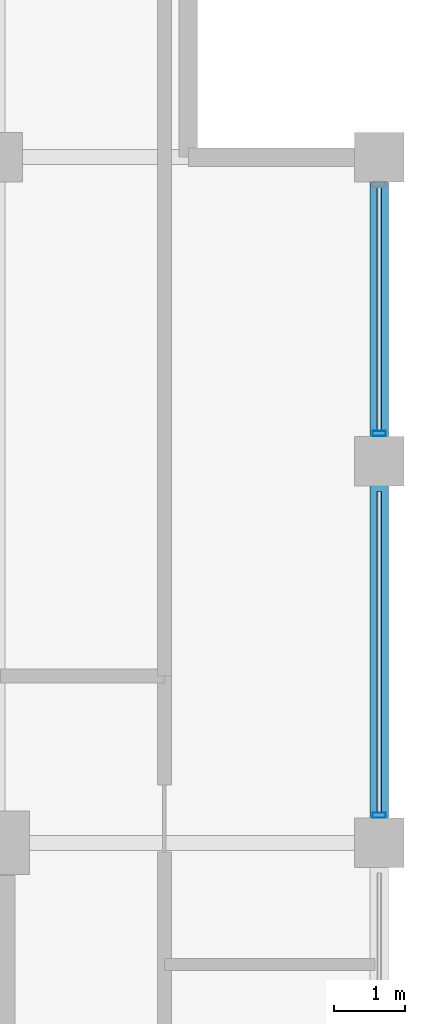
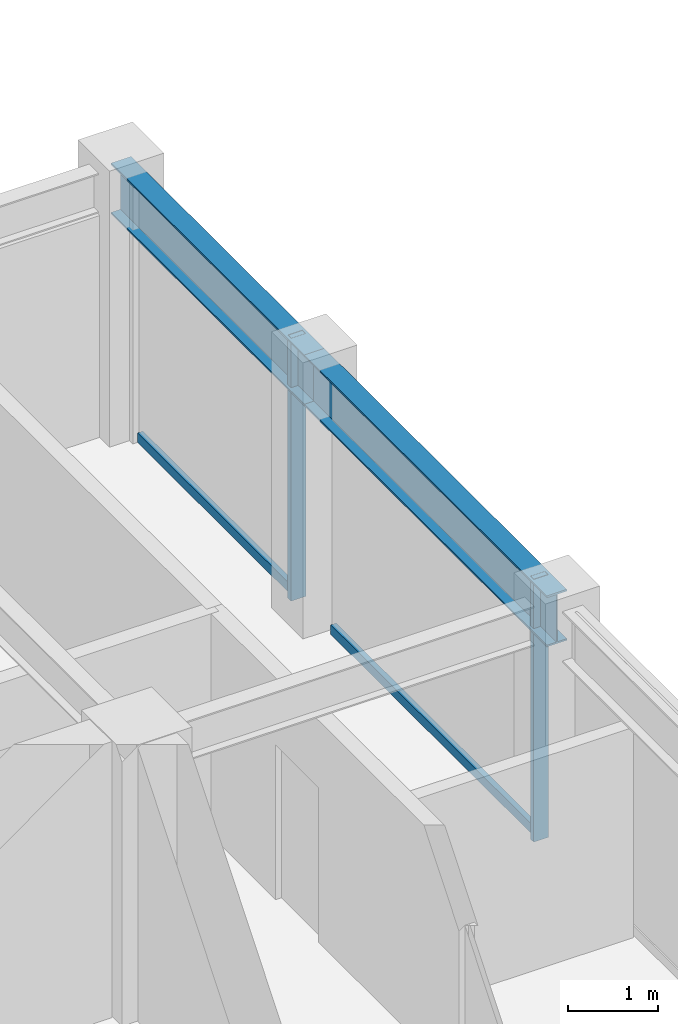
# One storey, part 21 of 31: 4 members, 2 beams, 1 element without a shape of its own.
"""IFC4 building model written with IfcOpenShell, lengths in metres."""

from ifc_helpers import new_model, si_unit, direction, frame, origin, origin_2d, place, context, subcontext, project, spatial, hollow_rectangle, i_section, extrude, material, layer, layer_set, material_profile, profile_set, type_object, element, aggregate, save


model = new_model("IFC4")

# Units and contexts
model_context = context("Model", 3, precision=1e-05, world=origin(), true_north=direction((0.0, 1.0)))
body_context = subcontext(model_context, "Body", "Model", "MODEL_VIEW")
ifc_project = project(units=[si_unit("LENGTHUNIT", "METRE"), si_unit("AREAUNIT", "SQUARE_METRE"), si_unit("VOLUMEUNIT", "CUBIC_METRE"), si_unit("PLANEANGLEUNIT", "RADIAN"), si_unit("MASSUNIT", "GRAM", prefix="KILO")], contexts=[model_context])

# Site, building, storey
site_placement = place(None, origin())
site = spatial("IfcSite", under=ifc_project, at=site_placement, CompositionType="ELEMENT")
building_placement = place(site_placement, origin())
building = spatial("IfcBuilding", under=site, at=building_placement, Name="Surkhivell Harbour Commons", CompositionType="ELEMENT")
storey_placement = place(building_placement, frame((0.0, 0.0, 330.0)))
storey = spatial("IfcBuildingStorey", under=building, at=storey_placement, Name="L86", CompositionType="ELEMENT", Elevation=330.0)

# Beams
ifc_material_1 = material(Name="Steel S355", Category="steel")
ifc_material_profile_1 = material_profile(ifc_material_1, i_section(OverallWidth=0.256103515625, OverallDepth=0.693115234375, WebThickness=0.014404296875, FlangeThickness=0.023681640625, at=origin_2d()), Name="UB686x254x170")
ifc_profile_set_1 = profile_set([ifc_material_profile_1], Name="Steel S355")
beam_type = type_object("IfcBeamType", Name="BM-SPN-686", PredefinedType="SPANDREL", material=ifc_profile_set_1)
beam_1_placement = place(storey_placement, frame((16.199951171875, 10.800048828125, 3.223388671875), z_axis=(0.0, 1.0, 0.0), x_axis=(-1.0, 0.0, 0.0)))
element("IfcBeam", 1, at=beam_1_placement, inside=storey, type_object=beam_type, Name="L86 Tube Spandrel (16.2,10.8)", PredefinedType="SPANDREL", context=body_context, shape_type="SweptSolid", body=[
    extrude(i_section(OverallWidth=0.256103515625, OverallDepth=0.693115234375, WebThickness=0.014404296875, FlangeThickness=0.023681640625, at=origin_2d()), origin(), (0.0, 0.0, 1.0), 5.39990234375),
])
beam_2_placement = place(storey_placement, frame((16.199951171875, 16.199951171875, 3.223388671875), z_axis=(0.0, 1.0, 0.0), x_axis=(-1.0, 0.0, 0.0)))
element("IfcBeam", 2, at=beam_2_placement, inside=storey, type_object=beam_type, Name="L86 Tube Spandrel (16.2,16.2)", PredefinedType="SPANDREL", context=body_context, shape_type="SweptSolid", body=[
    extrude(i_section(OverallWidth=0.256103515625, OverallDepth=0.693115234375, WebThickness=0.014404296875, FlangeThickness=0.023681640625, at=origin_2d()), origin(), (0.0, 0.0, 1.0), 4.300048828125),
])

# Curtain wall, members
ifc_material_2 = material(Name="Anodised pale-metal aluminium and insulated glazing", Category="aluminium")
ifc_layer = layer(ifc_material_2, 0.175048828125)
ifc_layer_set = layer_set([ifc_layer], Name="Anodised pale-metal aluminium and insulated glazing")
curtain_wall_type = type_object("IfcCurtainWallType", Name="CW-SYS-Z4", PredefinedType="NOTDEFINED", material=ifc_layer_set)
curtain_wall_placement = place(storey_placement, origin())
curtain_wall = element("IfcCurtainWall", 3, at=curtain_wall_placement, inside=storey, type_object=curtain_wall_type, Name="L86 Curtain Wall CW-L86-E02", PredefinedType="NOTDEFINED")
ifc_material_3 = material(Name="Anodised pale-metal aluminium alloy 6063-T6", Category="aluminium")
ifc_material_profile_2 = material_profile(ifc_material_3, hollow_rectangle(XDim=0.074951171875, YDim=0.18994140625, WallThickness=0.00390625, at=origin_2d()), Name="ALU-MULL-75x190")
ifc_profile_set_2 = profile_set([ifc_material_profile_2], Name="Anodised pale-metal aluminium alloy 6063-T6")
member_type_1 = type_object("IfcMemberType", Name="CWM-190", PredefinedType="MULLION", material=ifc_profile_set_2)
member_1_placement = place(storey_placement, frame((16.199951171875, 11.189453125, 0.0), z_axis=(0.0, 0.0, 1.0), x_axis=(0.0, 1.0, 0.0)))
member_1 = element("IfcMember", 4, at=member_1_placement, type_object=member_type_1, Name="CW-Z4 mullion 4", PredefinedType="MULLION", context=body_context, shape_type="SweptSolid", body=[
    extrude(hollow_rectangle(XDim=0.074951171875, YDim=0.18994140625, WallThickness=0.00390625, at=origin_2d()), origin(), (0.0, 0.0, 1.0), 3.570068359375),
])
member_2_placement = place(storey_placement, frame((16.199951171875, 16.589599609375, 0.0), z_axis=(0.0, 0.0, 1.0), x_axis=(0.0, 1.0, 0.0)))
member_2 = element("IfcMember", 5, at=member_2_placement, type_object=member_type_1, Name="CW-Z4 mullion 5", PredefinedType="MULLION", context=body_context, shape_type="SweptSolid", body=[
    extrude(hollow_rectangle(XDim=0.074951171875, YDim=0.18994140625, WallThickness=0.00390625, at=origin_2d()), origin(), (0.0, 0.0, 1.0), 3.570068359375),
])
ifc_material_4 = material(Name="Champagne anodised aluminium alloy 6063-T6", Category="aluminium")
ifc_material_profile_3 = material_profile(ifc_material_4, hollow_rectangle(XDim=0.070068359375, YDim=0.1298828125, WallThickness=0.00341796875, at=origin_2d()), Name="ALU-TRAN-70x130")
ifc_profile_set_3 = profile_set([ifc_material_profile_3], Name="Champagne anodised aluminium alloy 6063-T6")
member_type_2 = type_object("IfcMemberType", Name="CWT-130", PredefinedType="USERDEFINED", material=ifc_profile_set_3)
member_3_placement = place(storey_placement, frame((16.199951171875, 11.22705078125, 0.06494140625), z_axis=(0.0, 1.0, 0.0), x_axis=(-1.0, 0.0, 0.0)))
member_3 = element("IfcMember", 6, at=member_3_placement, type_object=member_type_2, Name="CW-Z4 transom 4.1", ObjectType="TRANSOM", PredefinedType="USERDEFINED", context=body_context, shape_type="SweptSolid", body=[
    extrude(hollow_rectangle(XDim=0.070068359375, YDim=0.1298828125, WallThickness=0.00341796875, at=origin_2d()), origin(), (0.0, 0.0, 1.0), 4.5458984375),
])
member_4_placement = place(storey_placement, frame((16.199951171875, 16.626953125, 0.06494140625), z_axis=(0.0, 1.0, 0.0), x_axis=(-1.0, 0.0, 0.0)))
member_4 = element("IfcMember", 7, at=member_4_placement, type_object=member_type_2, Name="CW-Z4 transom 5.1", ObjectType="TRANSOM", PredefinedType="USERDEFINED", context=body_context, shape_type="SweptSolid", body=[
    extrude(hollow_rectangle(XDim=0.070068359375, YDim=0.1298828125, WallThickness=0.00341796875, at=origin_2d()), origin(), (0.0, 0.0, 1.0), 3.446044921875),
])
aggregate(curtain_wall, [member_1, member_3, member_2, member_4])

save(model, "model.ifc")
